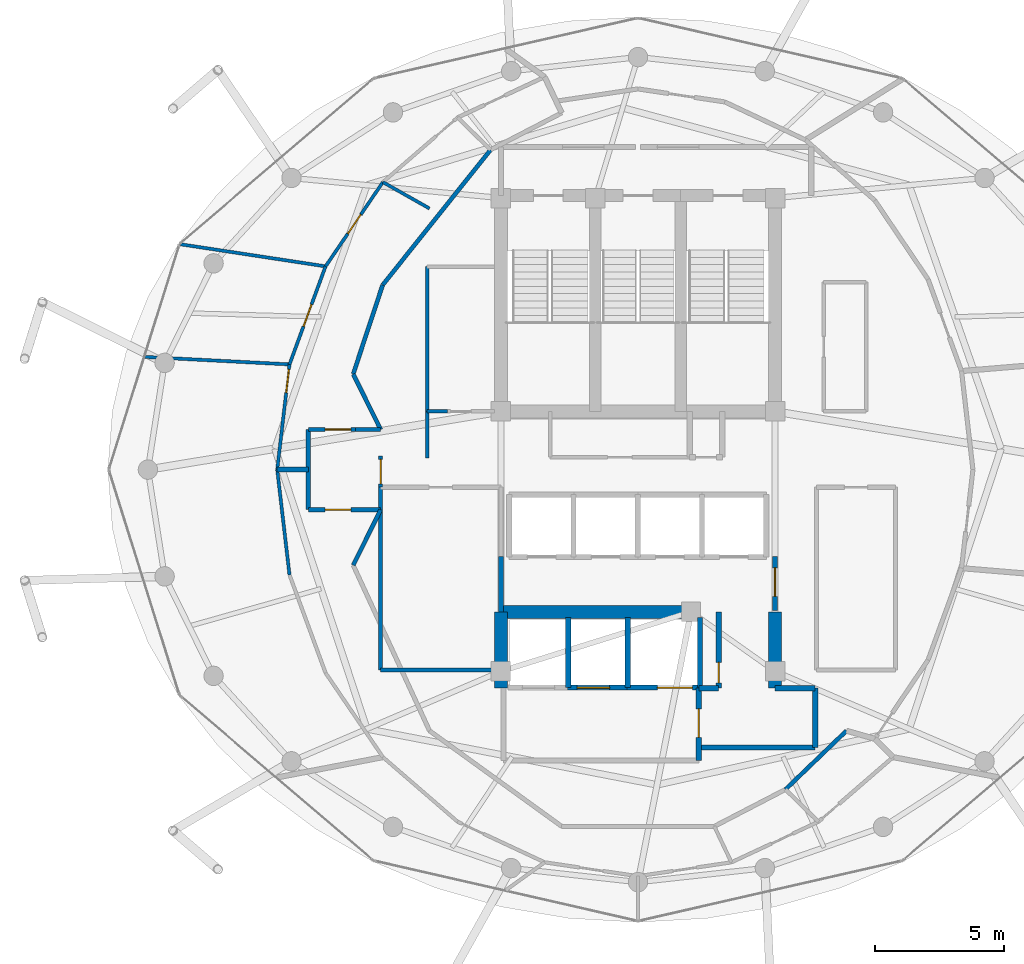
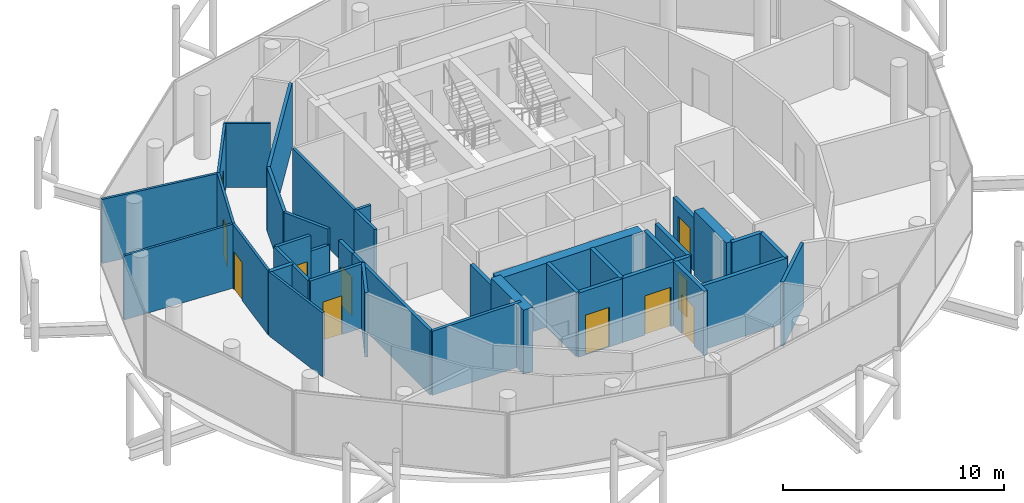
# One storey, part 20 of 24: 39 walls, 11 doors, 11 openings.
"""IFC4 building model written with IfcOpenShell, lengths in metres."""

from ifc_helpers import new_model, si_unit, direction, frame, frame_2d, origin, place, context, subcontext, project, spatial, rectangle, extrude, material, layer, layer_set, type_object, element, fill, save


model = new_model("IFC4")

# Units and contexts
model_context = context("Model", 3, precision=1e-05, world=origin(), true_north=direction((0.0, 1.0)))
body_context = subcontext(model_context, "Body", "Model", "MODEL_VIEW")
ifc_project = project(units=[si_unit("LENGTHUNIT", "METRE"), si_unit("AREAUNIT", "SQUARE_METRE"), si_unit("VOLUMEUNIT", "CUBIC_METRE"), si_unit("PLANEANGLEUNIT", "RADIAN"), si_unit("MASSUNIT", "GRAM", prefix="KILO")], contexts=[model_context])

# Site, building, storey
site_placement = place(None, origin())
site = spatial("IfcSite", under=ifc_project, at=site_placement, CompositionType="ELEMENT")
building_placement = place(site_placement, origin())
building = spatial("IfcBuilding", under=site, at=building_placement, Name="Nuhasar Tower", CompositionType="ELEMENT")
storey_placement = place(building_placement, frame((0.0, 0.0, 286.0)))
storey = spatial("IfcBuildingStorey", under=building, at=storey_placement, Name="L71", CompositionType="ELEMENT", Elevation=286.0)

# Walls
ifc_material_1 = material(Name="Concrete C50/60", Category="concrete")
ifc_layer_1 = layer(ifc_material_1, 0.5)
ifc_layer_set_1 = layer_set([ifc_layer_1], Name="Concrete C50/60")
wall_type_1 = type_object("IfcWallType", Name="WL-CORE-500", PredefinedType="SHEAR", material=ifc_layer_set_1)
for number, where, z_axis, x_axis, name in (
    (1, (33.699951171875, 18.35009765625, 0.0), (0.0, 0.0, 1.0), (0.0, 1.0, 0.0), "L71 Core Shear Wall CW-SW CW-500"),
    (2, (44.300048828125, 18.35009765625, 0.0), (0.0, 0.0, 1.0), (0.0, 1.0, 0.0), "L71 Core Shear Wall CW-SE CW-500"),
):
    element("IfcWall", number, at=place(storey_placement, frame(where, z_axis=z_axis, x_axis=x_axis)), inside=storey, type_object=wall_type_1, Name=name, PredefinedType="SHEAR", context=body_context, shape_type="SweptSolid", body=[
        extrude(rectangle(XDim=2.949951171875, YDim=0.5, at=frame_2d((1.47509765625, 0.0))), origin(), (0.0, 0.0, 1.0), 3.5400390625),
    ])
wall_1_placement = place(storey_placement, frame((33.699951171875, 21.300048828125, 0.0), z_axis=(0.0, 0.0, 1.0), x_axis=(1.0, 0.0, 0.0)))
element("IfcWall", 3, at=wall_1_placement, inside=storey, type_object=wall_type_1, Name="L71 Core Shear Wall CW-S1 CW-500", PredefinedType="SHEAR", context=body_context, shape_type="SweptSolid", body=[
    extrude(rectangle(XDim=7.550048828125, YDim=0.5, at=frame_2d((3.77490234375, 0.0))), origin(), (0.0, 0.0, 1.0), 3.5400390625),
])
ifc_material_2 = material(Name="Gypsum Board", Category="gypsum")
ifc_layer_2 = layer(ifc_material_2, 0.159912109375)
ifc_layer_set_2 = layer_set([ifc_layer_2], Name="Gypsum Board")
wall_type_2 = type_object("IfcWallType", Name="WL-CORR-160", PredefinedType="PARTITIONING", material=ifc_layer_set_2)
wall_2_placement = place(storey_placement, frame((29.050048828125, 19.050048828125, 0.0), z_axis=(0.0, 0.0, 1.0), x_axis=(1.0, 0.0, 0.0)))
element("IfcWall", 4, at=wall_2_placement, inside=storey, type_object=wall_type_2, Name="L71 Interior Partition RECL-B1-S", PredefinedType="PARTITIONING", context=body_context, shape_type="SweptSolid", body=[
    extrude(rectangle(XDim=4.64990234375, YDim=0.159912109375, at=frame_2d((2.324951171875, 0.0))), origin(), (0.0, 0.0, 1.0), 3.5400390625),
])
wall_3_placement = place(storey_placement, frame((29.050048828125, 19.050048828125, 0.0), z_axis=(0.0, 0.0, 1.0), x_axis=(0.0, 1.0, 0.0)))
element("IfcWall", 5, at=wall_3_placement, inside=storey, type_object=wall_type_2, Name="L71 Interior Partition RECL-B1-W", PredefinedType="PARTITIONING", context=body_context, shape_type="SweptSolid", body=[
    extrude(rectangle(XDim=7.070068359375, YDim=0.159912109375, at=frame_2d((3.53515625, 0.0))), origin(), (0.0, 0.0, 1.0), 3.5400390625),
])

# Wall, opening, door
wall_4_placement = place(storey_placement, frame((29.050048828125, 26.1201171875, 0.0), z_axis=(0.0, 0.0, 1.0), x_axis=(0.0, 1.0, 0.0)))
wall_4 = element("IfcWall", 6, at=wall_4_placement, inside=storey, type_object=wall_type_2, Name="L71 Interior Partition WVEST-E", PredefinedType="PARTITIONING", context=body_context, shape_type="SweptSolid", body=[
    extrude(rectangle(XDim=1.199951171875, YDim=0.159912109375, at=frame_2d((0.60009765625, 0.0))), origin(), (0.0, 0.0, 1.0), 3.5400390625),
])
opening_1_placement = place(wall_4_placement, frame((0.125, 0.0, 0.0)))
opening_1 = element("IfcOpeningElement", 7, at=opening_1_placement, cuts=wall_4, Name="Opening DO-01", PredefinedType="OPENING", context=body_context, shape_type="SweptSolid", body=[
    extrude(rectangle(XDim=0.949951171875, YDim=2.14990234375, at=frame_2d((0.47509765625, 1.074951171875))), frame((0.0, 0.08984375, 0.0), z_axis=(0.0, -1.0, 0.0), x_axis=(1.0, 0.0, 0.0)), (0.0, 0.0, 1.0), 0.179931640625),
])
ifc_material_3 = material(Name="Timber Oak", Category="wood")
door_type_1 = type_object("IfcDoorType", Name="DR-OFFICE-FD30-950", OperationType="NOTDEFINED", PredefinedType="DOOR", material=ifc_material_3)
door_1_placement = place(opening_1_placement, origin())
door_1 = element("IfcDoor", 8, at=door_1_placement, inside=storey, type_object=door_type_1, Name="L71 West Arrival Foyer Core Door", OperationType="SINGLE_SWING_RIGHT", OverallHeight=2.14990234375, OverallWidth=0.949951171875, PredefinedType="DOOR", context=body_context, shape_type="SweptSolid", body=[
    extrude(rectangle(XDim=0.949951171875, YDim=2.14990234375, at=frame_2d((0.47509765625, 1.074951171875))), frame((0.0, 0.02490234375, 0.0), z_axis=(0.0, -1.0, 0.0), x_axis=(1.0, 0.0, 0.0)), (0.0, 0.0, 1.0), 0.050048828125),
])
fill(opening_1, door_1)

# Walls
wall_5_placement = place(storey_placement, frame((33.300048828125, 39.1669921875, 0.0), z_axis=(0.0, 0.0, 1.0), x_axis=(-0.623915746766, -0.781491612839, 0.0)))
element("IfcWall", 9, at=wall_5_placement, inside=storey, type_object=wall_type_2, Name="L71 Interior Partition UWEST-CORE-N2-16", PredefinedType="PARTITIONING", context=body_context, shape_type="SweptSolid", body=[
    extrude(rectangle(XDim=6.6884765625, YDim=0.159912109375, at=frame_2d((3.34423828125, 0.0))), origin(), (0.0, 0.0, 1.0), 3.5400390625),
])
wall_6_placement = place(storey_placement, frame((29.126953125, 33.93994140625, 0.0), z_axis=(0.0, 0.0, 1.0), x_axis=(-0.313985571683, -0.949427754374, 0.0)))
element("IfcWall", 10, at=wall_6_placement, inside=storey, type_object=wall_type_2, Name="L71 Interior Partition UWEST-CORE-N2-20", PredefinedType="PARTITIONING", context=body_context, shape_type="SweptSolid", body=[
    extrude(rectangle(XDim=3.627197265625, YDim=0.159912109375, at=frame_2d((1.8134765625, 0.0))), origin(), (0.0, 0.0, 1.0), 3.5400390625),
])
wall_7_placement = place(storey_placement, frame((44.699951171875, 14.43310546875, 0.0), z_axis=(0.0, 0.0, 1.0), x_axis=(0.72090897908, 0.693029756851, 0.0)))
element("IfcWall", 11, at=wall_7_placement, inside=storey, type_object=wall_type_2, Name="L71 Interior Partition UWEST-CORE-S2-40", PredefinedType="PARTITIONING", context=body_context, shape_type="SweptSolid", body=[
    extrude(rectangle(XDim=3.275146484375, YDim=0.159912109375, at=frame_2d((1.6376953125, 0.0))), origin(), (0.0, 0.0, 1.0), 3.5400390625),
])

# Wall, opening, door
wall_8_placement = place(storey_placement, frame((26.25, 28.35009765625, 0.0), z_axis=(0.0, 0.0, 1.0), x_axis=(1.0, 0.0, 0.0)))
wall_8 = element("IfcWall", 12, at=wall_8_placement, inside=storey, type_object=wall_type_2, Name="L71 Interior Partition WVEST-N", PredefinedType="PARTITIONING", context=body_context, shape_type="SweptSolid", body=[
    extrude(rectangle(XDim=1.820068359375, YDim=0.159912109375, at=frame_2d((0.91015625, 0.0))), origin(), (0.0, 0.0, 1.0), 3.5400390625),
])
opening_2_placement = place(wall_8_placement, frame((0.64990234375, 0.0, 0.0)))
opening_2 = element("IfcOpeningElement", 13, at=opening_2_placement, cuts=wall_8, Name="Opening DU-02", PredefinedType="OPENING", context=body_context, shape_type="SweptSolid", body=[
    extrude(rectangle(XDim=1.0, YDim=2.14990234375, at=frame_2d((0.5, 1.074951171875))), frame((0.0, 0.08984375, 0.0), z_axis=(0.0, -1.0, 0.0), x_axis=(1.0, 0.0, 0.0)), (0.0, 0.0, 1.0), 0.179931640625),
])
door_type_2 = type_object("IfcDoorType", Name="DR-FLAT-FD60-1000", OperationType="NOTDEFINED", PredefinedType="DOOR", material=ifc_material_3)
door_2_placement = place(opening_2_placement, origin())
door_2 = element("IfcDoor", 14, at=door_2_placement, inside=storey, type_object=door_type_2, Name="L71 North-West Sky Home Entrance", OperationType="SINGLE_SWING_LEFT", OverallHeight=2.14990234375, OverallWidth=1.0, PredefinedType="DOOR", context=body_context, shape_type="SweptSolid", body=[
    extrude(rectangle(XDim=1.0, YDim=2.14990234375, at=frame_2d((0.5, 1.074951171875))), frame((0.0, 0.02490234375, 0.0), z_axis=(0.0, -1.0, 0.0), x_axis=(1.0, 0.0, 0.0)), (0.0, 0.0, 1.0), 0.050048828125),
])
fill(opening_2, door_2)

# Wall
wall_9_placement = place(storey_placement, frame((28.070068359375, 28.35009765625, 0.0), z_axis=(0.0, 0.0, 1.0), x_axis=(1.0, 0.0, 0.0)))
element("IfcWall", 15, at=wall_9_placement, inside=storey, type_object=wall_type_2, Name="L71 Interior Partition WVEST-N", PredefinedType="PARTITIONING", context=body_context, shape_type="SweptSolid", body=[
    extrude(rectangle(XDim=0.97998046875, YDim=0.159912109375, at=frame_2d((0.489990234375, 0.0))), origin(), (0.0, 0.0, 1.0), 2.679931640625),
])

# Wall, opening, door
wall_10_placement = place(storey_placement, frame((26.25, 25.25, 0.0), z_axis=(0.0, 0.0, 1.0), x_axis=(1.0, 0.0, 0.0)))
wall_10 = element("IfcWall", 16, at=wall_10_placement, inside=storey, type_object=wall_type_2, Name="L71 Interior Partition WVEST-S", PredefinedType="PARTITIONING", context=body_context, shape_type="SweptSolid", body=[
    extrude(rectangle(XDim=2.800048828125, YDim=0.159912109375, at=frame_2d((1.39990234375, 0.0))), origin(), (0.0, 0.0, 1.0), 3.5400390625),
])
opening_3_placement = place(wall_10_placement, frame((0.64990234375, 0.0, 0.0)))
opening_3 = element("IfcOpeningElement", 17, at=opening_3_placement, cuts=wall_10, Name="Opening DU-02", PredefinedType="OPENING", context=body_context, shape_type="SweptSolid", body=[
    extrude(rectangle(XDim=1.0, YDim=2.14990234375, at=frame_2d((0.5, 1.074951171875))), frame((0.0, 0.08984375, 0.0), z_axis=(0.0, -1.0, 0.0), x_axis=(1.0, 0.0, 0.0)), (0.0, 0.0, 1.0), 0.179931640625),
])
door_3_placement = place(opening_3_placement, origin())
door_3 = element("IfcDoor", 18, at=door_3_placement, inside=storey, type_object=door_type_2, Name="L71 South-West Sky Home Entrance", OperationType="SINGLE_SWING_LEFT", OverallHeight=2.14990234375, OverallWidth=1.0, PredefinedType="DOOR", context=body_context, shape_type="SweptSolid", body=[
    extrude(rectangle(XDim=1.0, YDim=2.14990234375, at=frame_2d((0.5, 1.074951171875))), frame((0.0, 0.02490234375, 0.0), z_axis=(0.0, -1.0, 0.0), x_axis=(1.0, 0.0, 0.0)), (0.0, 0.0, 1.0), 0.050048828125),
])
fill(opening_3, door_3)

# Walls
wall_11_placement = place(storey_placement, frame((26.25, 25.25, 0.0), z_axis=(0.0, 0.0, 1.0), x_axis=(0.0, 1.0, 0.0)))
element("IfcWall", 19, at=wall_11_placement, inside=storey, type_object=wall_type_2, Name="L71 Interior Partition WVEST-W", PredefinedType="PARTITIONING", context=body_context, shape_type="SweptSolid", body=[
    extrude(rectangle(XDim=3.10009765625, YDim=0.159912109375, at=frame_2d((1.550048828125, 0.0))), origin(), (0.0, 0.0, 1.0), 3.5400390625),
])
for number, where, z_axis, x_axis, name in (
    (20, (27.988037109375, 30.49609375, 0.0), (0.0, 0.0, 1.0), (0.443539160525, -0.896254993337, 0.0), "L71 Interior Partition WVEST-CN"),
    (21, (27.988037109375, 23.10400390625, 0.0), (0.0, 0.0, 1.0), (0.443539160525, 0.896254993337, 0.0), "L71 Interior Partition WVEST-CS"),
):
    element("IfcWall", number, at=place(storey_placement, frame(where, z_axis=z_axis, x_axis=x_axis)), inside=storey, type_object=wall_type_2, Name=name, PredefinedType="PARTITIONING", context=body_context, shape_type="SweptSolid", body=[
        extrude(rectangle(XDim=2.394287109375, YDim=0.159912109375, at=frame_2d((1.197265625, 0.0))), origin(), (0.0, 0.0, 1.0), 3.5400390625),
    ])
ifc_material_4 = material(Name="Concrete C45/55", Category="concrete")
ifc_layer_3 = layer(ifc_material_4, 0.199951171875)
ifc_layer_set_3 = layer_set([ifc_layer_3], Name="Concrete C45/55")
wall_type_3 = type_object("IfcWallType", Name="WL-LOBBY-200", PredefinedType="SOLIDWALL", material=ifc_layer_set_3)
wall_12_placement = place(storey_placement, frame((33.699951171875, 21.300048828125, 0.0), z_axis=(0.0, 0.0, 1.0), x_axis=(0.0, 1.0, 0.0)))
element("IfcWall", 22, at=wall_12_placement, inside=storey, type_object=wall_type_3, Name="L71 Interior Partition LLBH-W", PredefinedType="SOLIDWALL", context=body_context, shape_type="SweptSolid", body=[
    extrude(rectangle(XDim=2.14990234375, YDim=0.199951171875, at=frame_2d((1.074951171875, 0.0))), origin(), (0.0, 0.0, 1.0), 2.925048828125),
])

# Wall, opening, door
wall_13_placement = place(storey_placement, frame((44.300048828125, 21.35009765625, 0.0), z_axis=(0.0, 0.0, 1.0), x_axis=(0.0, 1.0, 0.0)))
wall_13 = element("IfcWall", 23, at=wall_13_placement, inside=storey, type_object=wall_type_3, Name="L71 Interior Partition LLBH-E", PredefinedType="SOLIDWALL", context=body_context, shape_type="SweptSolid", body=[
    extrude(rectangle(XDim=2.099853515625, YDim=0.199951171875, at=frame_2d((1.0498046875, 0.0))), origin(), (0.0, 0.0, 1.0), 2.925048828125),
])
opening_4_placement = place(wall_13_placement, frame((0.550048828125, 0.0, 0.0)))
opening_4 = element("IfcOpeningElement", 24, at=opening_4_placement, cuts=wall_13, Name="Opening DS-02", PredefinedType="OPENING", context=body_context, shape_type="SweptSolid", body=[
    extrude(rectangle(XDim=1.10009765625, YDim=2.14990234375, at=frame_2d((0.550048828125, 1.074951171875))), frame((0.0, 0.10986328125, 0.0), z_axis=(0.0, -1.0, 0.0), x_axis=(1.0, 0.0, 0.0)), (0.0, 0.0, 1.0), 0.219970703125),
])
ifc_material_5 = material(Name="Steel S355", Category="steel")
door_type_3 = type_object("IfcDoorType", Name="DR-FFL-FD120-1100", OperationType="NOTDEFINED", PredefinedType="DOOR", material=ifc_material_5)
door_4_placement = place(opening_4_placement, origin())
door_4 = element("IfcDoor", 25, at=door_4_placement, inside=storey, type_object=door_type_3, Name="L71 High-Rise Lobby East Door", OperationType="SINGLE_SWING_RIGHT", OverallHeight=2.14990234375, OverallWidth=1.10009765625, PredefinedType="DOOR", context=body_context, shape_type="SweptSolid", body=[
    extrude(rectangle(XDim=1.10009765625, YDim=2.14990234375, at=frame_2d((0.550048828125, 1.074951171875))), frame((0.0, 0.02490234375, 0.0), z_axis=(0.0, -1.0, 0.0), x_axis=(1.0, 0.0, 0.0)), (0.0, 0.0, 1.0), 0.050048828125),
])
fill(opening_4, door_4)

wall_14_placement = place(storey_placement, frame((41.35009765625, 15.550048828125, 0.0), z_axis=(0.0, 0.0, 1.0), x_axis=(0.0, 1.0, 0.0)))
wall_14 = element("IfcWall", 26, at=wall_14_placement, inside=storey, type_object=wall_type_3, Name="L71 Interior Partition FFL-E", PredefinedType="SOLIDWALL", context=body_context, shape_type="SweptSolid", body=[
    extrude(rectangle(XDim=2.800048828125, YDim=0.199951171875, at=frame_2d((1.39990234375, 0.0))), origin(), (0.0, 0.0, 1.0), 3.5400390625),
])
opening_5_placement = place(wall_14_placement, frame((0.89990234375, 0.0, 0.0)))
opening_5 = element("IfcOpeningElement", 27, at=opening_5_placement, cuts=wall_14, Name="Opening DS-02", PredefinedType="OPENING", context=body_context, shape_type="SweptSolid", body=[
    extrude(rectangle(XDim=1.10009765625, YDim=2.14990234375, at=frame_2d((0.550048828125, 1.074951171875))), frame((0.0, 0.10986328125, 0.0), z_axis=(0.0, -1.0, 0.0), x_axis=(1.0, 0.0, 0.0)), (0.0, 0.0, 1.0), 0.219970703125),
])
door_5_placement = place(opening_5_placement, origin())
door_5 = element("IfcDoor", 28, at=door_5_placement, inside=storey, type_object=door_type_3, Name="L71 Firefighting Lobby Door", OperationType="SINGLE_SWING_RIGHT", OverallHeight=2.14990234375, OverallWidth=1.10009765625, PredefinedType="DOOR", context=body_context, shape_type="SweptSolid", body=[
    extrude(rectangle(XDim=1.10009765625, YDim=2.14990234375, at=frame_2d((0.550048828125, 1.074951171875))), frame((0.0, 0.02490234375, 0.0), z_axis=(0.0, -1.0, 0.0), x_axis=(1.0, 0.0, 0.0)), (0.0, 0.0, 1.0), 0.050048828125),
])
fill(opening_5, door_5)

# Walls
wall_15_placement = place(storey_placement, frame((41.35009765625, 16.050048828125, 0.0), z_axis=(0.0, 0.0, 1.0), x_axis=(1.0, 0.0, 0.0)))
element("IfcWall", 29, at=wall_15_placement, inside=storey, type_object=wall_type_3, Name="L71 Interior Partition SVLV-S", PredefinedType="SOLIDWALL", context=body_context, shape_type="SweptSolid", body=[
    extrude(rectangle(XDim=4.5, YDim=0.199951171875, at=frame_2d((2.25, 0.0))), origin(), (0.0, 0.0, 1.0), 3.5400390625),
])
wall_16_placement = place(storey_placement, frame((45.85009765625, 16.050048828125, 0.0), z_axis=(0.0, 0.0, 1.0), x_axis=(0.0, 1.0, 0.0)))
element("IfcWall", 30, at=wall_16_placement, inside=storey, type_object=wall_type_3, Name="L71 Interior Partition SVLV-E", PredefinedType="SOLIDWALL", context=body_context, shape_type="SweptSolid", body=[
    extrude(rectangle(XDim=2.300048828125, YDim=0.199951171875, at=frame_2d((1.14990234375, 0.0))), origin(), (0.0, 0.0, 1.0), 3.5400390625),
])
wall_17_placement = place(storey_placement, frame((44.300048828125, 18.35009765625, 0.0), z_axis=(0.0, 0.0, 1.0), x_axis=(1.0, 0.0, 0.0)))
element("IfcWall", 31, at=wall_17_placement, inside=storey, type_object=wall_type_3, Name="L71 Interior Partition SVLV-N", PredefinedType="SOLIDWALL", context=body_context, shape_type="SweptSolid", body=[
    extrude(rectangle(XDim=1.550048828125, YDim=0.199951171875, at=frame_2d((0.77490234375, 0.0))), origin(), (0.0, 0.0, 1.0), 3.5400390625),
])
ifc_layer_4 = layer(ifc_material_2, 0.125)
ifc_layer_set_4 = layer_set([ifc_layer_4], Name="Gypsum Board")
wall_type_4 = type_object("IfcWallType", Name="WL-PART-125", PredefinedType="PARTITIONING", material=ifc_layer_set_4)
wall_18_placement = place(storey_placement, frame((30.93896484375, 36.89697265625, 0.0), z_axis=(0.0, 0.0, 1.0), x_axis=(-0.870569425254, 0.492045603387, 0.0)))
element("IfcWall", 32, at=wall_18_placement, inside=storey, type_object=wall_type_4, Name="L71 Interior Partition USI-1-KD", PredefinedType="PARTITIONING", context=body_context, shape_type="SweptSolid", body=[
    extrude(rectangle(XDim=2.071044921875, YDim=0.125, at=frame_2d((1.03564453125, 0.0))), origin(), (0.0, 0.0, 1.0), 3.5400390625),
])

# Wall, opening, door
wall_19_placement = place(storey_placement, frame((26.9189453125, 34.659912109375, 0.0), z_axis=(0.0, 0.0, 1.0), x_axis=(0.562811699753, 0.826585138157, 0.0)))
wall_19 = element("IfcWall", 33, at=wall_19_placement, inside=storey, type_object=wall_type_4, Name="L71 Interior Partition USM-1-D-18", PredefinedType="PARTITIONING", context=body_context, shape_type="SweptSolid", body=[
    extrude(rectangle(XDim=3.939208984375, YDim=0.125, at=frame_2d((1.9697265625, 0.0))), origin(), (0.0, 0.0, 1.0), 3.5400390625),
])
opening_6_placement = place(wall_19_placement, frame((1.52001953125, 0.0, 0.0)))
opening_6 = element("IfcOpeningElement", 34, at=opening_6_placement, cuts=wall_19, Name="Opening DR-01", PredefinedType="OPENING", context=body_context, shape_type="SweptSolid", body=[
    extrude(rectangle(XDim=0.89990234375, YDim=2.10009765625, at=frame_2d((0.449951171875, 1.050048828125))), frame((0.0, 0.072509765625, 0.0), z_axis=(0.0, -1.0, 0.0), x_axis=(1.0, 0.0, 0.0)), (0.0, 0.0, 1.0), 0.14501953125),
])
door_type_4 = type_object("IfcDoorType", Name="DR-ROOM-900", OperationType="NOTDEFINED", PredefinedType="DOOR", material=ifc_material_3)
door_6_placement = place(opening_6_placement, origin())
door_6 = element("IfcDoor", 35, at=door_6_placement, inside=storey, type_object=door_type_4, Name="L71 North-West Sky Home Master Bedroom Door", OperationType="SINGLE_SWING_LEFT", OverallHeight=2.10009765625, OverallWidth=0.89990234375, PredefinedType="DOOR", context=body_context, shape_type="SweptSolid", body=[
    extrude(rectangle(XDim=0.89990234375, YDim=2.10009765625, at=frame_2d((0.449951171875, 1.050048828125))), frame((0.0, 0.02490234375, 0.0), z_axis=(0.0, -1.0, 0.0), x_axis=(1.0, 0.0, 0.0)), (0.0, 0.0, 1.0), 0.050048828125),
])
fill(opening_6, door_6)

wall_20_placement = place(storey_placement, frame((25.52490234375, 30.868896484375, 0.0), z_axis=(0.0, 0.0, 1.0), x_axis=(0.345128286029, 0.938555521097, 0.0)))
wall_20 = element("IfcWall", 36, at=wall_20_placement, inside=storey, type_object=wall_type_4, Name="L71 Interior Partition USM-1-D-20", PredefinedType="PARTITIONING", context=body_context, shape_type="SweptSolid", body=[
    extrude(rectangle(XDim=4.039306640625, YDim=0.125, at=frame_2d((2.01953125, 0.0))), origin(), (0.0, 0.0, 1.0), 3.5400390625),
])
opening_7_placement = place(wall_20_placement, frame((1.570068359375, 0.0, 0.0)))
opening_7 = element("IfcOpeningElement", 37, at=opening_7_placement, cuts=wall_20, Name="Opening DR-01", PredefinedType="OPENING", context=body_context, shape_type="SweptSolid", body=[
    extrude(rectangle(XDim=0.89990234375, YDim=2.10009765625, at=frame_2d((0.449951171875, 1.050048828125))), frame((0.0, 0.072509765625, 0.0), z_axis=(0.0, -1.0, 0.0), x_axis=(1.0, 0.0, 0.0)), (0.0, 0.0, 1.0), 0.14501953125),
])
door_7_placement = place(opening_7_placement, origin())
door_7 = element("IfcDoor", 38, at=door_7_placement, inside=storey, type_object=door_type_4, Name="L71 North-West Sky Home Study Door", OperationType="SINGLE_SWING_RIGHT", OverallHeight=2.10009765625, OverallWidth=0.89990234375, PredefinedType="DOOR", context=body_context, shape_type="SweptSolid", body=[
    extrude(rectangle(XDim=0.89990234375, YDim=2.10009765625, at=frame_2d((0.449951171875, 1.050048828125))), frame((0.0, 0.02490234375, 0.0), z_axis=(0.0, -1.0, 0.0), x_axis=(1.0, 0.0, 0.0)), (0.0, 0.0, 1.0), 0.050048828125),
])
fill(opening_7, door_7)

wall_21_placement = place(storey_placement, frame((25.050048828125, 26.800048828125, 0.0), z_axis=(0.0, 0.0, 1.0), x_axis=(0.115917937966, 0.993258793899, 0.0)))
wall_21 = element("IfcWall", 39, at=wall_21_placement, inside=storey, type_object=wall_type_4, Name="L71 Interior Partition USM-1-D-22", PredefinedType="PARTITIONING", context=body_context, shape_type="SweptSolid", body=[
    extrude(rectangle(XDim=4.096435546875, YDim=0.125, at=frame_2d((2.04833984375, 0.0))), origin(), (0.0, 0.0, 1.0), 3.5400390625),
])
opening_8_placement = place(wall_21_placement, frame((2.9970703125, 0.0, 0.0)))
opening_8 = element("IfcOpeningElement", 40, at=opening_8_placement, cuts=wall_21, Name="Opening DR-01", PredefinedType="OPENING", context=body_context, shape_type="SweptSolid", body=[
    extrude(rectangle(XDim=0.89990234375, YDim=2.10009765625, at=frame_2d((0.449951171875, 1.050048828125))), frame((0.0, 0.072509765625, 0.0), z_axis=(0.0, -1.0, 0.0), x_axis=(1.0, 0.0, 0.0)), (0.0, 0.0, 1.0), 0.14501953125),
])
door_8_placement = place(opening_8_placement, origin())
door_8 = element("IfcDoor", 41, at=door_8_placement, inside=storey, type_object=door_type_4, Name="L71 North-West Sky Home Living Door", OperationType="SINGLE_SWING_RIGHT", OverallHeight=2.10009765625, OverallWidth=0.89990234375, PredefinedType="DOOR", context=body_context, shape_type="SweptSolid", body=[
    extrude(rectangle(XDim=0.89990234375, YDim=2.10009765625, at=frame_2d((0.449951171875, 1.050048828125))), frame((0.0, 0.02490234375, 0.0), z_axis=(0.0, -1.0, 0.0), x_axis=(1.0, 0.0, 0.0)), (0.0, 0.0, 1.0), 0.050048828125),
])
fill(opening_8, door_8)

# Walls
wall_22_placement = place(storey_placement, frame((25.050048828125, 26.800048828125, 0.0), z_axis=(0.0, 0.0, 1.0), x_axis=(0.115911076473, -0.993259594643, 0.0)))
element("IfcWall", 42, at=wall_22_placement, inside=storey, type_object=wall_type_4, Name="L71 Interior Partition USM-1-D-24", PredefinedType="PARTITIONING", context=body_context, shape_type="SweptSolid", body=[
    extrude(rectangle(XDim=4.0966796875, YDim=0.125, at=frame_2d((2.04833984375, 0.0))), origin(), (0.0, 0.0, 1.0), 3.5400390625),
])
wall_23_placement = place(storey_placement, frame((26.9189453125, 34.659912109375, 0.0), z_axis=(0.0, 0.0, 1.0), x_axis=(-0.988628020007, 0.150381641354, 0.0)))
element("IfcWall", 43, at=wall_23_placement, inside=storey, type_object=wall_type_4, Name="L71 Interior Partition USO-1-B1", PredefinedType="PARTITIONING", context=body_context, shape_type="SweptSolid", body=[
    extrude(rectangle(XDim=5.67236328125, YDim=0.125, at=frame_2d((2.836181640625, 0.0))), origin(), (0.0, 0.0, 1.0), 3.5400390625),
])
wall_24_placement = place(storey_placement, frame((25.52490234375, 30.868896484375, 0.0), z_axis=(0.0, 0.0, 1.0), x_axis=(-0.998670767361, 0.051543170428, 0.0)))
element("IfcWall", 44, at=wall_24_placement, inside=storey, type_object=wall_type_4, Name="L71 Interior Partition USO-1-B2", PredefinedType="PARTITIONING", context=body_context, shape_type="SweptSolid", body=[
    extrude(rectangle(XDim=5.589111328125, YDim=0.125, at=frame_2d((2.79443359375, 0.0))), origin(), (0.0, 0.0, 1.0), 3.5400390625),
])
ifc_layer_5 = layer(ifc_material_4, 0.199951171875)
ifc_layer_set_5 = layer_set([ifc_layer_5], Name="Concrete C45/55")
wall_type_5 = type_object("IfcWallType", Name="WL-SHAFT-200", PredefinedType="SOLIDWALL", material=ifc_layer_set_5)
wall_25_placement = place(storey_placement, frame((36.300048828125, 18.3701171875, 0.0), z_axis=(0.0, 0.0, 1.0), x_axis=(0.0, 1.0, 0.0)))
element("IfcWall", 45, at=wall_25_placement, inside=storey, type_object=wall_type_5, Name="L71 Interior Partition SHF-FFL-01-E", PredefinedType="SOLIDWALL", context=body_context, shape_type="SweptSolid", body=[
    extrude(rectangle(XDim=2.7099609375, YDim=0.199951171875, at=frame_2d((1.35498046875, 0.0))), origin(), (0.0, 0.0, 1.0), 3.5400390625),
])

# Wall, opening, door
wall_26_placement = place(storey_placement, frame((36.27001953125, 18.3701171875, 0.0), z_axis=(0.0, 0.0, 1.0), x_axis=(1.0, 0.0, 0.0)))
wall_26 = element("IfcWall", 46, at=wall_26_placement, inside=storey, type_object=wall_type_5, Name="L71 Interior Partition SHF-FFL-02-S", PredefinedType="SOLIDWALL", context=body_context, shape_type="SweptSolid", body=[
    extrude(rectangle(XDim=2.35986328125, YDim=0.199951171875, at=frame_2d((1.179931640625, 0.0))), origin(), (0.0, 0.0, 1.0), 3.5400390625),
])
opening_9_placement = place(wall_26_placement, frame((0.3798828125, 0.0, 0.0)))
opening_9 = element("IfcOpeningElement", 47, at=opening_9_placement, cuts=wall_26, Name="Opening LD-F02", PredefinedType="OPENING", context=body_context, shape_type="SweptSolid", body=[
    extrude(rectangle(XDim=1.25, YDim=2.199951171875, at=frame_2d((0.625, 1.10009765625))), frame((0.0, 0.10986328125, 0.0), z_axis=(0.0, -1.0, 0.0), x_axis=(1.0, 0.0, 0.0)), (0.0, 0.0, 1.0), 0.219970703125),
])
ifc_material_6 = material(Name="Stainless Steel 316L", Category="steel")
door_type_5 = type_object("IfcDoorType", Name="LD-FFL-1250", OperationType="DOUBLE_DOOR_SLIDING", PredefinedType="DOOR", material=ifc_material_6)
door_9_placement = place(opening_9_placement, origin())
door_9 = element("IfcDoor", 48, at=door_9_placement, inside=storey, type_object=door_type_5, Name="L71 Lift Landing Door FFL-02", OperationType="DOUBLE_DOOR_SLIDING", OverallHeight=2.199951171875, OverallWidth=1.25, PredefinedType="DOOR", context=body_context, shape_type="SweptSolid", body=[
    extrude(rectangle(XDim=1.25, YDim=2.199951171875, at=frame_2d((0.625, 1.10009765625))), frame((0.0, 0.02490234375, 0.0), z_axis=(0.0, -1.0, 0.0), x_axis=(1.0, 0.0, 0.0)), (0.0, 0.0, 1.0), 0.050048828125),
])
fill(opening_9, door_9)

# Wall
wall_27_placement = place(storey_placement, frame((38.60009765625, 18.3701171875, 0.0), z_axis=(0.0, 0.0, 1.0), x_axis=(0.0, 1.0, 0.0)))
element("IfcWall", 49, at=wall_27_placement, inside=storey, type_object=wall_type_5, Name="L71 Interior Partition SHF-FFL-02-E", PredefinedType="SOLIDWALL", context=body_context, shape_type="SweptSolid", body=[
    extrude(rectangle(XDim=2.7099609375, YDim=0.199951171875, at=frame_2d((1.35498046875, 0.0))), origin(), (0.0, 0.0, 1.0), 3.5400390625),
])

# Wall, opening, door
wall_28_placement = place(storey_placement, frame((38.570068359375, 18.3701171875, 0.0), z_axis=(0.0, 0.0, 1.0), x_axis=(1.0, 0.0, 0.0)))
wall_28 = element("IfcWall", 50, at=wall_28_placement, inside=storey, type_object=wall_type_5, Name="L71 Interior Partition SHF-SVL-01-S", PredefinedType="SOLIDWALL", context=body_context, shape_type="SweptSolid", body=[
    extrude(rectangle(XDim=2.829833984375, YDim=0.199951171875, at=frame_2d((1.4150390625, 0.0))), origin(), (0.0, 0.0, 1.0), 3.5400390625),
])
opening_10_placement = place(wall_28_placement, frame((1.179931640625, 0.0, 0.0)))
opening_10 = element("IfcOpeningElement", 51, at=opening_10_placement, cuts=wall_28, Name="Opening LD-S01", PredefinedType="OPENING", context=body_context, shape_type="SweptSolid", body=[
    extrude(rectangle(XDim=1.35009765625, YDim=2.179931640625, at=frame_2d((0.675048828125, 1.08984375))), frame((0.0, 0.10986328125, 0.0), z_axis=(0.0, -1.0, 0.0), x_axis=(1.0, 0.0, 0.0)), (0.0, 0.0, 1.0), 0.219970703125),
])
door_type_6 = type_object("IfcDoorType", Name="LD-SVL-1350", OperationType="DOUBLE_DOOR_SLIDING", PredefinedType="DOOR", material=ifc_material_6)
door_10_placement = place(opening_10_placement, origin())
door_10 = element("IfcDoor", 52, at=door_10_placement, inside=storey, type_object=door_type_6, Name="L71 Lift Landing Door SVL-01", OperationType="DOUBLE_DOOR_SLIDING", OverallHeight=2.179931640625, OverallWidth=1.35009765625, PredefinedType="DOOR", context=body_context, shape_type="SweptSolid", body=[
    extrude(rectangle(XDim=1.35009765625, YDim=2.179931640625, at=frame_2d((0.675048828125, 1.08984375))), frame((0.0, 0.02490234375, 0.0), z_axis=(0.0, -1.0, 0.0), x_axis=(1.0, 0.0, 0.0)), (0.0, 0.0, 1.0), 0.050048828125),
])
fill(opening_10, door_10)

# Wall
wall_29_placement = place(storey_placement, frame((41.39990234375, 18.3701171875, 0.0), z_axis=(0.0, 0.0, 1.0), x_axis=(0.0, 1.0, 0.0)))
element("IfcWall", 53, at=wall_29_placement, inside=storey, type_object=wall_type_5, Name="L71 Interior Partition SHF-SVL-01-E", PredefinedType="SOLIDWALL", context=body_context, shape_type="SweptSolid", body=[
    extrude(rectangle(XDim=2.7099609375, YDim=0.199951171875, at=frame_2d((1.35498046875, 0.0))), origin(), (0.0, 0.0, 1.0), 3.5400390625),
])

# Wall, opening, door
wall_30_placement = place(storey_placement, frame((42.1201171875, 18.35009765625, 0.0), z_axis=(0.0, 0.0, 1.0), x_axis=(0.0, 1.0, 0.0)))
wall_30 = element("IfcWall", 54, at=wall_30_placement, inside=storey, type_object=wall_type_5, Name="L71 Interior Partition RSR-E", PredefinedType="SOLIDWALL", context=body_context, shape_type="SweptSolid", body=[
    extrude(rectangle(XDim=2.949951171875, YDim=0.199951171875, at=frame_2d((1.47509765625, 0.0))), origin(), (0.0, 0.0, 1.0), 3.5400390625),
])
opening_11_placement = place(wall_30_placement, frame((0.199951171875, 0.0, 0.0)))
opening_11 = element("IfcOpeningElement", 55, at=opening_11_placement, cuts=wall_30, Name="Opening DM-01", PredefinedType="OPENING", context=body_context, shape_type="SweptSolid", body=[
    extrude(rectangle(XDim=0.800048828125, YDim=2.050048828125, at=frame_2d((0.39990234375, 1.02490234375))), frame((0.0, 0.10986328125, 0.0), z_axis=(0.0, -1.0, 0.0), x_axis=(1.0, 0.0, 0.0)), (0.0, 0.0, 1.0), 0.219970703125),
])
door_type_7 = type_object("IfcDoorType", Name="DR-RISER-FD60-800", OperationType="NOTDEFINED", PredefinedType="DOOR", material=ifc_material_5)
door_11_placement = place(opening_11_placement, origin())
door_11 = element("IfcDoor", 56, at=door_11_placement, inside=storey, type_object=door_type_7, Name="L71 MEP Riser Access Door", OperationType="SINGLE_SWING_LEFT", OverallHeight=2.050048828125, OverallWidth=0.800048828125, PredefinedType="DOOR", context=body_context, shape_type="SweptSolid", body=[
    extrude(rectangle(XDim=0.800048828125, YDim=2.050048828125, at=frame_2d((0.39990234375, 1.02490234375))), frame((0.0, 0.02490234375, 0.0), z_axis=(0.0, -1.0, 0.0), x_axis=(1.0, 0.0, 0.0)), (0.0, 0.0, 1.0), 0.050048828125),
])
fill(opening_11, door_11)

# Walls
wall_31_placement = place(storey_placement, frame((41.35009765625, 18.35009765625, 0.0), z_axis=(0.0, 0.0, 1.0), x_axis=(1.0, 0.0, 0.0)))
element("IfcWall", 57, at=wall_31_placement, inside=storey, type_object=wall_type_5, Name="L71 Interior Partition RSR-S", PredefinedType="SOLIDWALL", context=body_context, shape_type="SweptSolid", body=[
    extrude(rectangle(XDim=0.77001953125, YDim=0.199951171875, at=frame_2d((0.385009765625, 0.0))), origin(), (0.0, 0.0, 1.0), 3.5400390625),
])
ifc_material_7 = material(Name="Concrete C40/50 precast", Category="concrete")
ifc_layer_6 = layer(ifc_material_7, 0.199951171875)
ifc_layer_set_6 = layer_set([ifc_layer_6], Name="Concrete C40/50 precast")
wall_type_6 = type_object("IfcWallType", Name="WL-UNIT-200", PredefinedType="PARTITIONING", material=ifc_layer_set_6)
wall_32_placement = place(storey_placement, frame((26.25, 26.800048828125, 0.0), z_axis=(0.0, 0.0, 1.0), x_axis=(-1.0, 0.0, 0.0)))
element("IfcWall", 58, at=wall_32_placement, inside=storey, type_object=wall_type_6, Name="L71 Interior Partition UWEST-PARTY-IN", PredefinedType="PARTITIONING", context=body_context, shape_type="SweptSolid", body=[
    extrude(rectangle(XDim=1.199951171875, YDim=0.199951171875, at=frame_2d((0.60009765625, 0.0))), origin(), (0.0, 0.0, 1.0), 3.5400390625),
])
ifc_layer_7 = layer(ifc_material_7, 0.139892578125)
ifc_layer_set_7 = layer_set([ifc_layer_7], Name="Concrete C40/50 precast")
wall_type_7 = type_object("IfcWallType", Name="WL-WET-140", PredefinedType="PARTITIONING", material=ifc_layer_set_7)
wall_33_placement = place(storey_placement, frame((30.85009765625, 27.239990234375, 0.0), z_axis=(0.0, 0.0, 1.0), x_axis=(0.0, 1.0, 0.0)))
element("IfcWall", 59, at=wall_33_placement, inside=storey, type_object=wall_type_7, Name="L71 Interior Partition K3-FOY-W", PredefinedType="PARTITIONING", context=body_context, shape_type="SweptSolid", body=[
    extrude(rectangle(XDim=1.81005859375, YDim=0.139892578125, at=frame_2d((0.905029296875, 0.0))), origin(), (0.0, 0.0, 1.0), 3.5400390625),
])
wall_34_placement = place(storey_placement, frame((30.85009765625, 29.050048828125, 0.0), z_axis=(0.0, 0.0, 1.0), x_axis=(1.0, 0.0, 0.0)))
element("IfcWall", 60, at=wall_34_placement, inside=storey, type_object=wall_type_7, Name="L71 Interior Partition K3-NW-S", PredefinedType="PARTITIONING", context=body_context, shape_type="SweptSolid", body=[
    extrude(rectangle(XDim=0.77978515625, YDim=0.139892578125, at=frame_2d((0.389892578125, 0.0))), origin(), (0.0, 0.0, 1.0), 3.5400390625),
])
wall_35_placement = place(storey_placement, frame((30.85009765625, 29.050048828125, 0.0), z_axis=(0.0, 0.0, 1.0), x_axis=(0.0, 1.0, 0.0)))
element("IfcWall", 61, at=wall_35_placement, inside=storey, type_object=wall_type_7, Name="L71 Interior Partition K3-NW-W", PredefinedType="PARTITIONING", context=body_context, shape_type="SweptSolid", body=[
    extrude(rectangle(XDim=5.599853515625, YDim=0.139892578125, at=frame_2d((2.7998046875, 0.0))), origin(), (0.0, 0.0, 1.0), 3.5400390625),
])

save(model, "model.ifc")
